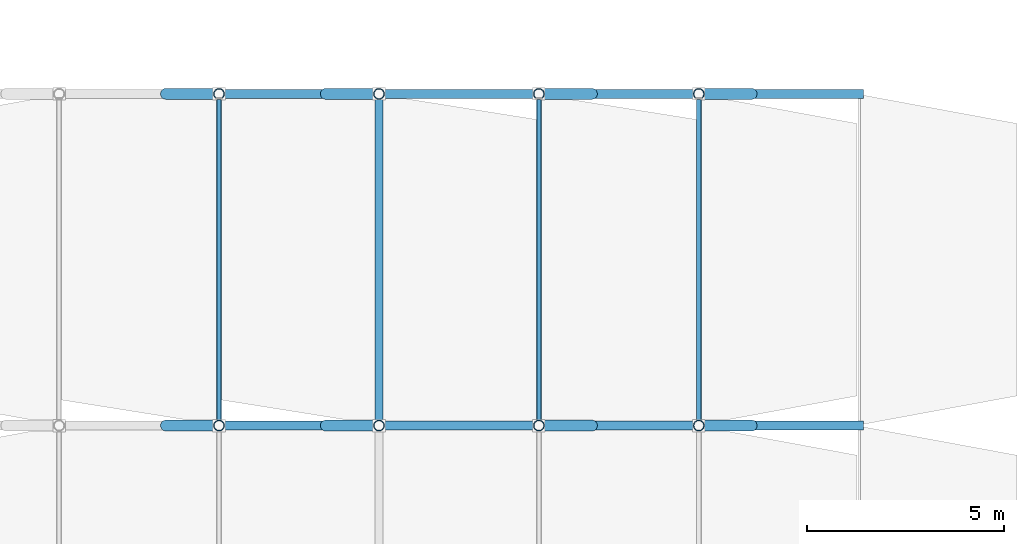
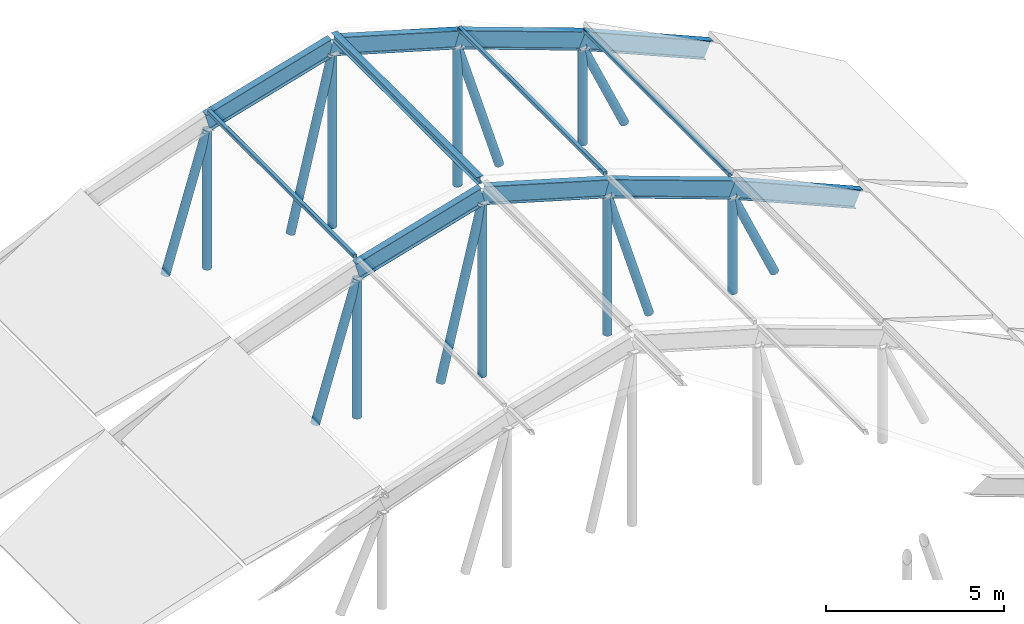
# One storey, part 11 of 22: 20 members, 8 beams.
"""IFC4 building model written with IfcOpenShell, lengths in metres."""

from ifc_helpers import new_model, si_unit, direction, frame, origin, origin_2d, place, context, subcontext, project, spatial, hollow_rectangle, hollow_circle, i_section, extrude, material, material_profile, profile_set, type_object, element, save


model = new_model("IFC4")

# Units and contexts
model_context = context("Model", 3, precision=1e-05, world=origin(), true_north=direction((0.0, 1.0)))
body_context = subcontext(model_context, "Body", "Model", "MODEL_VIEW")
ifc_project = project(units=[si_unit("LENGTHUNIT", "METRE"), si_unit("AREAUNIT", "SQUARE_METRE"), si_unit("VOLUMEUNIT", "CUBIC_METRE"), si_unit("PLANEANGLEUNIT", "RADIAN"), si_unit("MASSUNIT", "GRAM", prefix="KILO")], contexts=[model_context])

# Site, building, storey
site_placement = place(None, origin())
site = spatial("IfcSite", under=ifc_project, at=site_placement, CompositionType="ELEMENT")
building_placement = place(site_placement, origin())
building = spatial("IfcBuilding", under=site, at=building_placement, Name="Vireocrest Preparatory School", CompositionType="ELEMENT")
storey_placement = place(building_placement, frame((0.0, 0.0, 25.800048828125)))
storey = spatial("IfcBuildingStorey", under=building, at=storey_placement, Name="RF", CompositionType="ELEMENT", Elevation=25.800048828125)

# Members
ifc_material_1 = material(Name="Painted white steel ASTM A500 Grade C", Category="steel")
ifc_material_profile_1 = material_profile(ifc_material_1, hollow_rectangle(XDim=0.126953125, YDim=0.126953125, WallThickness=0.0087890625, InnerFilletRadius=0.0087890625, OuterFilletRadius=0.017822265625, at=origin_2d()), Name="HSS5X5X3/8")
ifc_profile_set_1 = profile_set([ifc_material_profile_1], Name="Painted white steel ASTM A500 Grade C")
member_type_1 = type_object("IfcMemberType", Name="Canopy Glass Steel Purlin HSS5X5X3/8", PredefinedType="PURLIN", material=ifc_profile_set_1)
for number, where, z_axis, x_axis, name in (
    (1, (75.75, 77.510009765625, 2.7919921875), (0.0, 1.0, 0.0), (-1.0, 0.0, 0.0), "Canopy Glass Purlin PR2-7-4"),
    (2, (83.85009765625, 77.510009765625, 2.7919921875), (0.0, 1.0, 0.0), (-1.0, 0.0, 0.0), "Canopy Glass Purlin PR2-7-6"),
    (3, (87.89990234375, 77.510009765625, 1.33203125), (0.0, 1.0, 0.0), (-1.0, 0.0, 0.0), "Canopy Glass Purlin PR2-7-7"),
):
    element("IfcMember", number, at=place(storey_placement, frame(where, z_axis=z_axis, x_axis=x_axis)), inside=storey, type_object=member_type_1, Name=name, PredefinedType="PURLIN", context=body_context, shape_type="SweptSolid", body=[
        extrude(hollow_rectangle(XDim=0.126953125, YDim=0.126953125, WallThickness=0.0087890625, InnerFilletRadius=0.0087890625, OuterFilletRadius=0.017822265625, at=origin_2d()), origin(), (0.0, 0.0, 1.0), 8.179931640625),
    ])
ifc_material_2 = material(Name="Structural steel ASTM A992 Grade 50", Category="steel")
ifc_material_profile_2 = material_profile(ifc_material_2, i_section(OverallWidth=0.201904296875, OverallDepth=0.2470703125, WebThickness=0.00732421875, FlangeThickness=0.010986328125, FilletRadius=0.010986328125, at=origin_2d()), Name="W10X33")
ifc_profile_set_2 = profile_set([ifc_material_profile_2], Name="Structural steel ASTM A992 Grade 50")
member_type_2 = type_object("IfcMemberType", Name="Canopy Ridge Purlin W10X33", PredefinedType="PURLIN", material=ifc_profile_set_2)
member_1_placement = place(storey_placement, frame((79.800048828125, 77.510009765625, 3.971923828125), z_axis=(0.0, 1.0, 0.0), x_axis=(-1.0, 0.0, 0.0)))
element("IfcMember", 4, at=member_1_placement, inside=storey, type_object=member_type_2, Name="Canopy Glass Purlin PR3-7-5", PredefinedType="PURLIN", context=body_context, shape_type="SweptSolid", body=[
    extrude(i_section(OverallWidth=0.201904296875, OverallDepth=0.2470703125, WebThickness=0.00732421875, FlangeThickness=0.010986328125, FilletRadius=0.010986328125, at=origin_2d()), origin(), (0.0, 0.0, 1.0), 8.179931640625),
])

# Beams
ifc_material_profile_3 = material_profile(ifc_material_2, i_section(OverallWidth=0.22802734375, OverallDepth=0.60302734375, WebThickness=0.010498046875, FlangeThickness=0.014892578125, FilletRadius=0.01611328125, at=origin_2d()), Name="W24X68")
ifc_profile_set_3 = profile_set([ifc_material_profile_3], Name="Structural steel ASTM A992 Grade 50")
beam_type = type_object("IfcBeamType", Name="Dining Pavilion Roof Girder W24X68", PredefinedType="BEAM", material=ifc_profile_set_3)
for number, where, z_axis, x_axis, name in (
    (5, (75.75, 77.39990234375, 2.394287109375), (0.960069326573, 0.0, 0.279762199328), (0.0, 1.0, 0.0), "Canopy Rafter Chord SB4-7-4"),
    (6, (79.800048828125, 77.39990234375, 3.574462890625), (0.960069326573, 0.0, -0.279762199328), (0.0, 1.0, 0.0), "Canopy Rafter Chord SB4-7-5"),
):
    element("IfcBeam", number, at=place(storey_placement, frame(where, z_axis=z_axis, x_axis=x_axis)), inside=storey, type_object=beam_type, Name=name, PredefinedType="BEAM", context=body_context, shape_type="SweptSolid", body=[
        extrude(i_section(OverallWidth=0.22802734375, OverallDepth=0.60302734375, WebThickness=0.010498046875, FlangeThickness=0.014892578125, FilletRadius=0.01611328125, at=origin_2d()), origin(), (0.0, 0.0, 1.0), 4.218505859375),
    ])
beam_1_placement = place(storey_placement, frame((83.85009765625, 77.39990234375, 2.394287109375), z_axis=(0.94073694426, 0.0, -0.339137142915), x_axis=(0.0, 1.0, 0.0)))
element("IfcBeam", 7, at=beam_1_placement, inside=storey, type_object=beam_type, Name="Canopy Rafter Chord SB4-7-6", PredefinedType="BEAM", context=body_context, shape_type="SweptSolid", body=[
    extrude(i_section(OverallWidth=0.22802734375, OverallDepth=0.60302734375, WebThickness=0.010498046875, FlangeThickness=0.014892578125, FilletRadius=0.01611328125, at=origin_2d()), origin(), (0.0, 0.0, 1.0), 4.304931640625),
])
beam_2_placement = place(storey_placement, frame((87.89990234375, 77.39990234375, 0.934326171875), z_axis=(0.918795164694, 0.0, -0.394734651804), x_axis=(0.0, 1.0, 0.0)))
element("IfcBeam", 8, at=beam_2_placement, inside=storey, type_object=beam_type, Name="Canopy Rafter Chord SB4-7-7", PredefinedType="BEAM", context=body_context, shape_type="SweptSolid", body=[
    extrude(i_section(OverallWidth=0.22802734375, OverallDepth=0.60302734375, WebThickness=0.010498046875, FlangeThickness=0.014892578125, FilletRadius=0.01611328125, at=origin_2d()), origin(), (0.0, 0.0, 1.0), 4.407958984375),
])
for number, where, z_axis, x_axis, name in (
    (9, (75.75, 85.800048828125, 2.394287109375), (0.960069326573, 0.0, 0.279762199328), (0.0, 1.0, 0.0), "Canopy Rafter Chord SB4-8-4"),
    (10, (79.800048828125, 85.800048828125, 3.574462890625), (0.960069326573, 0.0, -0.279762199328), (0.0, 1.0, 0.0), "Canopy Rafter Chord SB4-8-5"),
):
    element("IfcBeam", number, at=place(storey_placement, frame(where, z_axis=z_axis, x_axis=x_axis)), inside=storey, type_object=beam_type, Name=name, PredefinedType="BEAM", context=body_context, shape_type="SweptSolid", body=[
        extrude(i_section(OverallWidth=0.22802734375, OverallDepth=0.60302734375, WebThickness=0.010498046875, FlangeThickness=0.014892578125, FilletRadius=0.01611328125, at=origin_2d()), origin(), (0.0, 0.0, 1.0), 4.218505859375),
    ])
beam_3_placement = place(storey_placement, frame((83.85009765625, 85.800048828125, 2.394287109375), z_axis=(0.94073694426, 0.0, -0.339137142915), x_axis=(0.0, 1.0, 0.0)))
element("IfcBeam", 11, at=beam_3_placement, inside=storey, type_object=beam_type, Name="Canopy Rafter Chord SB4-8-6", PredefinedType="BEAM", context=body_context, shape_type="SweptSolid", body=[
    extrude(i_section(OverallWidth=0.22802734375, OverallDepth=0.60302734375, WebThickness=0.010498046875, FlangeThickness=0.014892578125, FilletRadius=0.01611328125, at=origin_2d()), origin(), (0.0, 0.0, 1.0), 4.304931640625),
])
beam_4_placement = place(storey_placement, frame((87.89990234375, 85.800048828125, 0.934326171875), z_axis=(0.918795164694, 0.0, -0.394734651804), x_axis=(0.0, 1.0, 0.0)))
element("IfcBeam", 12, at=beam_4_placement, inside=storey, type_object=beam_type, Name="Canopy Rafter Chord SB4-8-7", PredefinedType="BEAM", context=body_context, shape_type="SweptSolid", body=[
    extrude(i_section(OverallWidth=0.22802734375, OverallDepth=0.60302734375, WebThickness=0.010498046875, FlangeThickness=0.014892578125, FilletRadius=0.01611328125, at=origin_2d()), origin(), (0.0, 0.0, 1.0), 4.407958984375),
])

# Members
ifc_material_profile_4 = material_profile(ifc_material_1, hollow_circle(Radius=0.136474609375, WallThickness=0.0126953125, at=origin_2d()), Name="HSS10.750X0.500")
ifc_profile_set_4 = profile_set([ifc_material_profile_4], Name="Painted white steel ASTM A500 Grade C")
member_type_3 = type_object("IfcMemberType", Name="White Steel Clerestory Strut HSS10.750X0.500", PredefinedType="USERDEFINED", material=ifc_profile_set_4)
member_2_placement = place(storey_placement, frame((75.75, 77.39990234375, -2.62255859375), z_axis=(0.0, 0.0, 1.0), x_axis=(1.0, 0.0, 0.0)))
element("IfcMember", 13, at=member_2_placement, inside=storey, type_object=member_type_3, Name="Canopy Truss Web Vertical VS3-7-4", ObjectType="STRUT", PredefinedType="USERDEFINED", context=body_context, shape_type="SweptSolid", body=[
    extrude(hollow_circle(Radius=0.136474609375, WallThickness=0.0126953125, at=origin_2d()), origin(), (0.0, 0.0, 1.0), 4.740478515625),
])
member_3_placement = place(storey_placement, frame((79.800048828125, 77.39990234375, -2.62255859375), z_axis=(0.0, 0.0, 1.0), x_axis=(1.0, 0.0, 0.0)))
element("IfcMember", 14, at=member_3_placement, inside=storey, type_object=member_type_3, Name="Canopy Truss Web Vertical VS3-7-5", ObjectType="STRUT", PredefinedType="USERDEFINED", context=body_context, shape_type="SweptSolid", body=[
    extrude(hollow_circle(Radius=0.136474609375, WallThickness=0.0126953125, at=origin_2d()), origin(), (0.0, 0.0, 1.0), 5.92041015625),
])
member_4_placement = place(storey_placement, frame((83.85009765625, 77.39990234375, -2.62255859375), z_axis=(0.0, 0.0, 1.0), x_axis=(1.0, 0.0, 0.0)))
element("IfcMember", 15, at=member_4_placement, inside=storey, type_object=member_type_3, Name="Canopy Truss Web Vertical VS3-7-6", ObjectType="STRUT", PredefinedType="USERDEFINED", context=body_context, shape_type="SweptSolid", body=[
    extrude(hollow_circle(Radius=0.136474609375, WallThickness=0.0126953125, at=origin_2d()), origin(), (0.0, 0.0, 1.0), 4.740478515625),
])
member_5_placement = place(storey_placement, frame((87.89990234375, 77.39990234375, -2.62255859375), z_axis=(0.0, 0.0, 1.0), x_axis=(1.0, 0.0, 0.0)))
element("IfcMember", 16, at=member_5_placement, inside=storey, type_object=member_type_3, Name="Canopy Truss Web Vertical VS3-7-7", ObjectType="STRUT", PredefinedType="USERDEFINED", context=body_context, shape_type="SweptSolid", body=[
    extrude(hollow_circle(Radius=0.136474609375, WallThickness=0.0126953125, at=origin_2d()), origin(), (0.0, 0.0, 1.0), 3.280517578125),
])
member_6_placement = place(storey_placement, frame((74.39990234375, 77.39990234375, -2.385009765625), z_axis=(0.287195414927, 0.0, 0.957872013186), x_axis=(0.0, 1.0, 0.0)))
element("IfcMember", 17, at=member_6_placement, inside=storey, type_object=member_type_3, Name="Canopy Truss Web Strut VS3-7-3", ObjectType="STRUT", PredefinedType="USERDEFINED", context=body_context, shape_type="SweptSolid", body=[
    extrude(hollow_circle(Radius=0.136474609375, WallThickness=0.0126953125, at=origin_2d()), origin(), (0.0, 0.0, 1.0), 4.700927734375),
])
member_7_placement = place(storey_placement, frame((78.449951171875, 77.39990234375, -2.385009765625), z_axis=(0.231140186577, 0.0, 0.972920456229), x_axis=(0.0, 1.0, 0.0)))
element("IfcMember", 18, at=member_7_placement, inside=storey, type_object=member_type_3, Name="Canopy Truss Web Strut VS3-7-4", ObjectType="STRUT", PredefinedType="USERDEFINED", context=body_context, shape_type="SweptSolid", body=[
    extrude(hollow_circle(Radius=0.136474609375, WallThickness=0.0126953125, at=origin_2d()), origin(), (0.0, 0.0, 1.0), 5.841064453125),
])
member_8_placement = place(storey_placement, frame((85.199951171875, 77.39990234375, -2.385009765625), z_axis=(-0.287147763375, 0.0, 0.957886299092), x_axis=(0.0, -1.0, 0.0)))
element("IfcMember", 19, at=member_8_placement, inside=storey, type_object=member_type_3, Name="Canopy Truss Web Strut VS3-7-5", ObjectType="STRUT", PredefinedType="USERDEFINED", context=body_context, shape_type="SweptSolid", body=[
    extrude(hollow_circle(Radius=0.136474609375, WallThickness=0.0126953125, at=origin_2d()), origin(), (0.0, 0.0, 1.0), 4.700927734375),
])
member_9_placement = place(storey_placement, frame((89.25, 77.39990234375, -2.385009765625), z_axis=(-0.405553199474, 0.0, 0.91407144272), x_axis=(0.0, -1.0, 0.0)))
element("IfcMember", 20, at=member_9_placement, inside=storey, type_object=member_type_3, Name="Canopy Truss Web Strut VS3-7-6", ObjectType="STRUT", PredefinedType="USERDEFINED", context=body_context, shape_type="SweptSolid", body=[
    extrude(hollow_circle(Radius=0.136474609375, WallThickness=0.0126953125, at=origin_2d()), origin(), (0.0, 0.0, 1.0), 3.3291015625),
])
member_10_placement = place(storey_placement, frame((75.75, 85.800048828125, -2.62255859375), z_axis=(0.0, 0.0, 1.0), x_axis=(1.0, 0.0, 0.0)))
element("IfcMember", 21, at=member_10_placement, inside=storey, type_object=member_type_3, Name="Canopy Truss Web Vertical VS3-8-4", ObjectType="STRUT", PredefinedType="USERDEFINED", context=body_context, shape_type="SweptSolid", body=[
    extrude(hollow_circle(Radius=0.136474609375, WallThickness=0.0126953125, at=origin_2d()), origin(), (0.0, 0.0, 1.0), 4.740478515625),
])
member_11_placement = place(storey_placement, frame((79.800048828125, 85.800048828125, -2.62255859375), z_axis=(0.0, 0.0, 1.0), x_axis=(1.0, 0.0, 0.0)))
element("IfcMember", 22, at=member_11_placement, inside=storey, type_object=member_type_3, Name="Canopy Truss Web Vertical VS3-8-5", ObjectType="STRUT", PredefinedType="USERDEFINED", context=body_context, shape_type="SweptSolid", body=[
    extrude(hollow_circle(Radius=0.136474609375, WallThickness=0.0126953125, at=origin_2d()), origin(), (0.0, 0.0, 1.0), 5.92041015625),
])
member_12_placement = place(storey_placement, frame((83.85009765625, 85.800048828125, -2.62255859375), z_axis=(0.0, 0.0, 1.0), x_axis=(1.0, 0.0, 0.0)))
element("IfcMember", 23, at=member_12_placement, inside=storey, type_object=member_type_3, Name="Canopy Truss Web Vertical VS3-8-6", ObjectType="STRUT", PredefinedType="USERDEFINED", context=body_context, shape_type="SweptSolid", body=[
    extrude(hollow_circle(Radius=0.136474609375, WallThickness=0.0126953125, at=origin_2d()), origin(), (0.0, 0.0, 1.0), 4.740478515625),
])
member_13_placement = place(storey_placement, frame((87.89990234375, 85.800048828125, -2.62255859375), z_axis=(0.0, 0.0, 1.0), x_axis=(1.0, 0.0, 0.0)))
element("IfcMember", 24, at=member_13_placement, inside=storey, type_object=member_type_3, Name="Canopy Truss Web Vertical VS3-8-7", ObjectType="STRUT", PredefinedType="USERDEFINED", context=body_context, shape_type="SweptSolid", body=[
    extrude(hollow_circle(Radius=0.136474609375, WallThickness=0.0126953125, at=origin_2d()), origin(), (0.0, 0.0, 1.0), 3.280517578125),
])
member_14_placement = place(storey_placement, frame((74.39990234375, 85.800048828125, -2.385009765625), z_axis=(0.287195414927, 0.0, 0.957872013186), x_axis=(0.0, 1.0, 0.0)))
element("IfcMember", 25, at=member_14_placement, inside=storey, type_object=member_type_3, Name="Canopy Truss Web Strut VS3-8-3", ObjectType="STRUT", PredefinedType="USERDEFINED", context=body_context, shape_type="SweptSolid", body=[
    extrude(hollow_circle(Radius=0.136474609375, WallThickness=0.0126953125, at=origin_2d()), origin(), (0.0, 0.0, 1.0), 4.700927734375),
])
member_15_placement = place(storey_placement, frame((78.449951171875, 85.800048828125, -2.385009765625), z_axis=(0.231140186577, 0.0, 0.972920456229), x_axis=(0.0, 1.0, 0.0)))
element("IfcMember", 26, at=member_15_placement, inside=storey, type_object=member_type_3, Name="Canopy Truss Web Strut VS3-8-4", ObjectType="STRUT", PredefinedType="USERDEFINED", context=body_context, shape_type="SweptSolid", body=[
    extrude(hollow_circle(Radius=0.136474609375, WallThickness=0.0126953125, at=origin_2d()), origin(), (0.0, 0.0, 1.0), 5.841064453125),
])
member_16_placement = place(storey_placement, frame((85.199951171875, 85.800048828125, -2.385009765625), z_axis=(-0.287147763375, 0.0, 0.957886299092), x_axis=(0.0, -1.0, 0.0)))
element("IfcMember", 27, at=member_16_placement, inside=storey, type_object=member_type_3, Name="Canopy Truss Web Strut VS3-8-5", ObjectType="STRUT", PredefinedType="USERDEFINED", context=body_context, shape_type="SweptSolid", body=[
    extrude(hollow_circle(Radius=0.136474609375, WallThickness=0.0126953125, at=origin_2d()), origin(), (0.0, 0.0, 1.0), 4.700927734375),
])
member_17_placement = place(storey_placement, frame((89.25, 85.800048828125, -2.385009765625), z_axis=(-0.405553199474, 0.0, 0.91407144272), x_axis=(0.0, -1.0, 0.0)))
element("IfcMember", 28, at=member_17_placement, inside=storey, type_object=member_type_3, Name="Canopy Truss Web Strut VS3-8-6", ObjectType="STRUT", PredefinedType="USERDEFINED", context=body_context, shape_type="SweptSolid", body=[
    extrude(hollow_circle(Radius=0.136474609375, WallThickness=0.0126953125, at=origin_2d()), origin(), (0.0, 0.0, 1.0), 3.3291015625),
])

save(model, "model.ifc")
